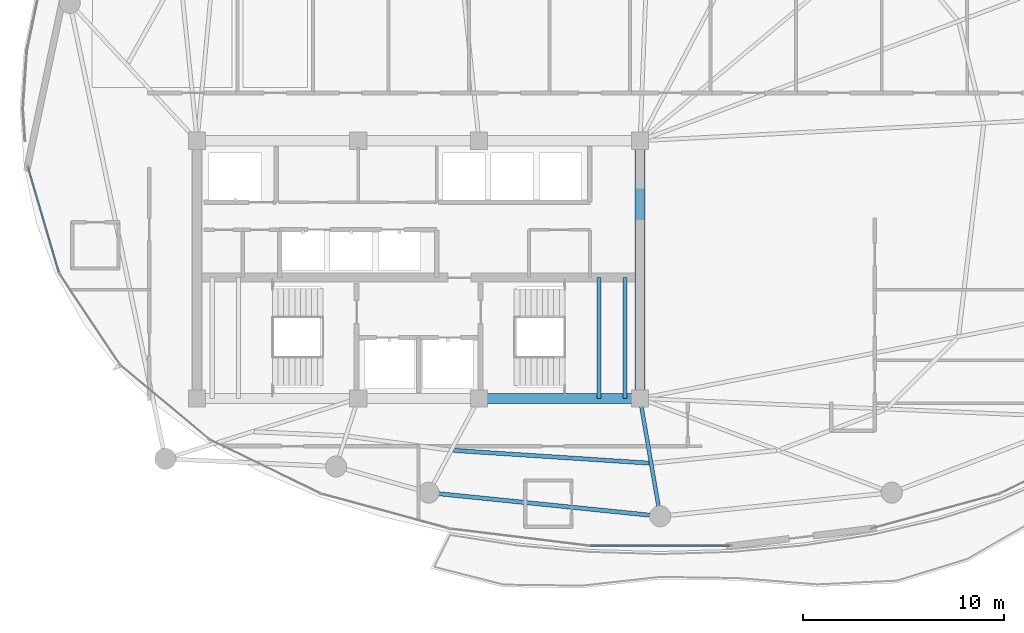
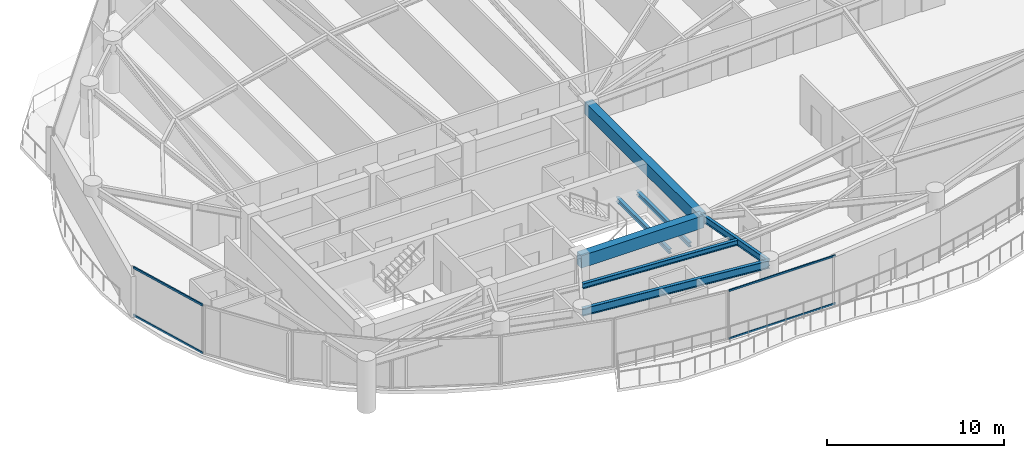
# One storey, part 6 of 29: 7 beams, 4 members, 2 elements without a shape of their own.
"""IFC4 building model written with IfcOpenShell, lengths in metres."""

from ifc_helpers import new_model, si_unit, direction, frame, origin, origin_2d, place, context, subcontext, project, spatial, rectangle, hollow_rectangle, i_section, extrude, material, layer, layer_set, material_profile, profile_set, type_object, element, aggregate, save


model = new_model("IFC4")

# Units and contexts
model_context = context("Model", 3, precision=1e-05, world=origin(), true_north=direction((0.0, 1.0)))
body_context = subcontext(model_context, "Body", "Model", "MODEL_VIEW")
ifc_project = project(units=[si_unit("LENGTHUNIT", "METRE"), si_unit("AREAUNIT", "SQUARE_METRE"), si_unit("VOLUMEUNIT", "CUBIC_METRE"), si_unit("PLANEANGLEUNIT", "RADIAN"), si_unit("MASSUNIT", "GRAM", prefix="KILO")], contexts=[model_context])

# Site, building, storey
site_placement = place(None, origin())
site = spatial("IfcSite", under=ifc_project, at=site_placement, CompositionType="ELEMENT")
building_placement = place(site_placement, origin())
building = spatial("IfcBuilding", under=site, at=building_placement, Name="Kazevale Care Tower and Concert Hall", CompositionType="ELEMENT")
storey_placement = place(building_placement, frame((0.0, 0.0, 195.60009765625)))
storey = spatial("IfcBuildingStorey", under=building, at=storey_placement, Name="L51", CompositionType="ELEMENT", Elevation=195.60009765625)

# Curtain wall, members
ifc_material_1 = material(Name="Aluminium 6063-T6 and Low-E Glass", Category="aluminium")
ifc_layer_1 = layer(ifc_material_1, 0.179931640625)
ifc_layer_set_1 = layer_set([ifc_layer_1], Name="Aluminium 6063-T6 and Low-E Glass")
curtain_wall_type_1 = type_object("IfcCurtainWallType", Name="Waist & Upper Residential Curtain Wall CW-4", PredefinedType="NOTDEFINED", material=ifc_layer_set_1)
curtain_wall_1_placement = place(storey_placement, origin())
curtain_wall_1 = element("IfcCurtainWall", 1, at=curtain_wall_1_placement, inside=storey, type_object=curtain_wall_type_1, Name="cw:L51:f12", PredefinedType="NOTDEFINED")
ifc_material_2 = material(Name="Aluminium 6063-T6", Category="aluminium")
ifc_material_profile_1 = material_profile(ifc_material_2, hollow_rectangle(XDim=0.080078125, YDim=0.139892578125, WallThickness=0.00390625, at=origin_2d()), Name="ALU80x140x4")
ifc_profile_set_1 = profile_set([ifc_material_profile_1], Name="Aluminium 6063-T6")
member_type_1 = type_object("IfcMemberType", Name="CW-4 Transom ALU80x140x4", PredefinedType="USERDEFINED", material=ifc_profile_set_1)
member_1_placement = place(storey_placement, frame((15.12548828125, 29.897705078125, 0.039794921875), z_axis=(-0.282102705943, 0.95938421047, 0.0), x_axis=(-0.95938421047, -0.282102705943, 0.0)))
member_1 = element("IfcMember", 2, at=member_1_placement, type_object=member_type_1, Name="CW-4 transom 1.1", ObjectType="TRANSOM", PredefinedType="USERDEFINED", context=body_context, shape_type="SweptSolid", body=[
    extrude(hollow_rectangle(XDim=0.080078125, YDim=0.139892578125, WallThickness=0.00390625, at=origin_2d()), origin(), (0.0, 0.0, 1.0), 5.402099609375),
])
member_2_placement = place(storey_placement, frame((15.12548828125, 29.897705078125, 3.31982421875), z_axis=(-0.282102705943, 0.95938421047, 0.0), x_axis=(-0.95938421047, -0.282102705943, 0.0)))
member_2 = element("IfcMember", 3, at=member_2_placement, type_object=member_type_1, Name="CW-4 transom 1.2", ObjectType="TRANSOM", PredefinedType="USERDEFINED", context=body_context, shape_type="SweptSolid", body=[
    extrude(hollow_rectangle(XDim=0.080078125, YDim=0.139892578125, WallThickness=0.00390625, at=origin_2d()), origin(), (0.0, 0.0, 1.0), 5.402099609375),
])
aggregate(curtain_wall_1, [member_1, member_2])

ifc_layer_2 = layer(ifc_material_1, 0.179931640625)
ifc_layer_set_2 = layer_set([ifc_layer_2], Name="Aluminium 6063-T6 and Low-E Glass")
curtain_wall_type_2 = type_object("IfcCurtainWallType", Name="Sheltered Concave Balcony Curtain Wall CW-5", PredefinedType="NOTDEFINED", material=ifc_layer_set_2)
curtain_wall_2_placement = place(storey_placement, origin())
curtain_wall_2 = element("IfcCurtainWall", 4, at=curtain_wall_2_placement, inside=storey, type_object=curtain_wall_type_2, Name="cw:L51:f06", PredefinedType="NOTDEFINED")
ifc_material_profile_2 = material_profile(ifc_material_2, hollow_rectangle(XDim=0.074951171875, YDim=0.1201171875, WallThickness=0.00390625, at=origin_2d()), Name="ALU75x120x4")
ifc_profile_set_2 = profile_set([ifc_material_profile_2], Name="Aluminium 6063-T6")
member_type_2 = type_object("IfcMemberType", Name="CW-5 Transom ALU75x120x4", PredefinedType="USERDEFINED", material=ifc_profile_set_2)
member_3_placement = place(storey_placement, frame((48.47509765625, 16.284912109375, 0.037353515625), z_axis=(-1.0, 0.0, 0.0), x_axis=(0.0, -1.0, 0.0)))
member_3 = element("IfcMember", 5, at=member_3_placement, type_object=member_type_2, Name="CW-5 transom 1.1", ObjectType="TRANSOM", PredefinedType="USERDEFINED", context=body_context, shape_type="SweptSolid", body=[
    extrude(hollow_rectangle(XDim=0.074951171875, YDim=0.1201171875, WallThickness=0.00390625, at=origin_2d()), origin(), (0.0, 0.0, 1.0), 6.9501953125),
])
member_4_placement = place(storey_placement, frame((48.47509765625, 16.284912109375, 3.322509765625), z_axis=(-1.0, 0.0, 0.0), x_axis=(0.0, -1.0, 0.0)))
member_4 = element("IfcMember", 6, at=member_4_placement, type_object=member_type_2, Name="CW-5 transom 1.2", ObjectType="TRANSOM", PredefinedType="USERDEFINED", context=body_context, shape_type="SweptSolid", body=[
    extrude(hollow_rectangle(XDim=0.074951171875, YDim=0.1201171875, WallThickness=0.00390625, at=origin_2d()), origin(), (0.0, 0.0, 1.0), 6.9501953125),
])
aggregate(curtain_wall_2, [member_3, member_4])

# Beams
ifc_material_3 = material(Name="Concrete C60", Category="concrete")
ifc_material_profile_3 = material_profile(ifc_material_3, rectangle(XDim=0.5, YDim=0.85009765625, at=origin_2d()), Name="RC-B500x850")
ifc_profile_set_3 = profile_set([ifc_material_profile_3], Name="Concrete C60")
beam_type_1 = type_object("IfcBeamType", Name="Core Coupling Beam RC500x850", PredefinedType="LINTEL", material=ifc_profile_set_3)
beam_1_placement = place(storey_placement, frame((36.0, 23.60009765625, 2.934814453125), z_axis=(1.0, 0.0, 0.0), x_axis=(0.0, 1.0, 0.0)))
element("IfcBeam", 7, at=beam_1_placement, inside=storey, type_object=beam_type_1, Name="beam:L51:coretie:3", PredefinedType="LINTEL", context=body_context, shape_type="SweptSolid", body=[
    extrude(rectangle(XDim=0.5, YDim=0.85009765625, at=origin_2d()), origin(), (0.0, 0.0, 1.0), 8.0),
])
beam_2_placement = place(storey_placement, frame((44.0, 23.60009765625, 2.934814453125), z_axis=(0.0, 1.0, 0.0), x_axis=(-1.0, 0.0, 0.0)))
element("IfcBeam", 8, at=beam_2_placement, inside=storey, type_object=beam_type_1, Name="beam:L51:coretie:4", PredefinedType="LINTEL", context=body_context, shape_type="SweptSolid", body=[
    extrude(rectangle(XDim=0.5, YDim=0.85009765625, at=origin_2d()), origin(), (0.0, 0.0, 1.0), 12.7998046875),
])
ifc_material_4 = material(Name="Steel ASTM A572 Gr 50", Category="steel")
ifc_material_profile_4 = material_profile(ifc_material_4, i_section(OverallWidth=0.19091796875, OverallDepth=0.4599609375, WebThickness=0.010009765625, FlangeThickness=0.01611328125, at=origin_2d()), Name="W460x82")
ifc_profile_set_4 = profile_set([ifc_material_profile_4], Name="Steel ASTM A572 Gr 50")
beam_type_2 = type_object("IfcBeamType", Name="Radial Floor Beam W460x82", PredefinedType="BEAM", material=ifc_profile_set_4)
beam_3_placement = place(storey_placement, frame((44.0, 23.60009765625, 3.1298828125), z_axis=(0.168493389607, -0.985702783631, 0.0), x_axis=(0.985702783631, 0.168493389607, 0.0)))
element("IfcBeam", 9, at=beam_3_placement, inside=storey, type_object=beam_type_2, Name="beam:L51:rad:13", PredefinedType="BEAM", context=body_context, shape_type="SweptSolid", body=[
    extrude(i_section(OverallWidth=0.19091796875, OverallDepth=0.4599609375, WebThickness=0.010009765625, FlangeThickness=0.01611328125, at=origin_2d()), origin(), (0.0, 0.0, 1.0), 5.93505859375),
])
ifc_material_profile_5 = material_profile(ifc_material_4, i_section(OverallWidth=0.205078125, OverallDepth=0.35400390625, WebThickness=0.009521484375, FlangeThickness=0.016845703125, at=origin_2d()), Name="W360x79")
ifc_profile_set_5 = profile_set([ifc_material_profile_5], Name="Steel ASTM A572 Gr 50")
beam_type_3 = type_object("IfcBeamType", Name="Secondary Floor Joist W360x79", PredefinedType="JOIST", material=ifc_profile_set_5)
beam_4_placement = place(storey_placement, frame((34.72998046875, 21.01904296875, 3.182861328125), z_axis=(0.997903161374, -0.064724651559, 0.0), x_axis=(0.064724651559, 0.997903161374, 0.0)))
element("IfcBeam", 10, at=beam_4_placement, inside=storey, type_object=beam_type_3, Name="beam:L51:joist:12", PredefinedType="JOIST", context=body_context, shape_type="SweptSolid", body=[
    extrude(i_section(OverallWidth=0.205078125, OverallDepth=0.35400390625, WebThickness=0.009521484375, FlangeThickness=0.016845703125, at=origin_2d()), origin(), (0.0, 0.0, 1.0), 9.735595703125),
])
ifc_material_profile_6 = material_profile(ifc_material_4, i_section(OverallWidth=0.202880859375, OverallDepth=0.302978515625, WebThickness=0.007568359375, FlangeThickness=0.01318359375, at=origin_2d()), Name="W310x60")
ifc_profile_set_6 = profile_set([ifc_material_profile_6], Name="Steel ASTM A572 Gr 50")
beam_type_4 = type_object("IfcBeamType", Name="Stair & Balcony Trimmer W310x60", PredefinedType="BEAM", material=ifc_profile_set_6)
for number, where, z_axis, x_axis, name in (
    (11, (41.949951171875, 23.60009765625, 1.448486328125), (0.0, 1.0, 0.0), (-1.0, 0.0, 0.0), "beam:L51:sttrim:ST2"),
    (12, (43.25, 23.60009765625, 1.448486328125), (0.0, 1.0, 0.0), (-1.0, 0.0, 0.0), "beam:L51:sttrim:ST2b"),
):
    element("IfcBeam", number, at=place(storey_placement, frame(where, z_axis=z_axis, x_axis=x_axis)), inside=storey, type_object=beam_type_4, Name=name, PredefinedType="BEAM", context=body_context, shape_type="SweptSolid", body=[
        extrude(i_section(OverallWidth=0.202880859375, OverallDepth=0.302978515625, WebThickness=0.007568359375, FlangeThickness=0.01318359375, at=origin_2d()), origin(), (0.0, 0.0, 1.0), 6.0),
    ])
ifc_material_profile_7 = material_profile(ifc_material_4, i_section(OverallWidth=0.208984375, OverallDepth=0.532958984375, WebThickness=0.01025390625, FlangeThickness=0.015625, at=origin_2d()), Name="W530x92")
ifc_profile_set_7 = profile_set([ifc_material_profile_7], Name="Steel ASTM A572 Gr 50")
beam_type_5 = type_object("IfcBeamType", Name="Upper Ring Beam W530x92", PredefinedType="BEAM", material=ifc_profile_set_7)
beam_5_placement = place(storey_placement, frame((33.5, 18.919921875, 3.093505859375), z_axis=(0.994865089307, -0.101209950492, 0.0), x_axis=(0.101209950492, 0.994865089307, 0.0)))
element("IfcBeam", 13, at=beam_5_placement, inside=storey, type_object=beam_type_5, Name="beam:L51:ring:12", PredefinedType="BEAM", context=body_context, shape_type="SweptSolid", body=[
    extrude(i_section(OverallWidth=0.208984375, OverallDepth=0.532958984375, WebThickness=0.01025390625, FlangeThickness=0.015625, at=origin_2d()), origin(), (0.0, 0.0, 1.0), 11.559326171875),
])

save(model, "model.ifc")
